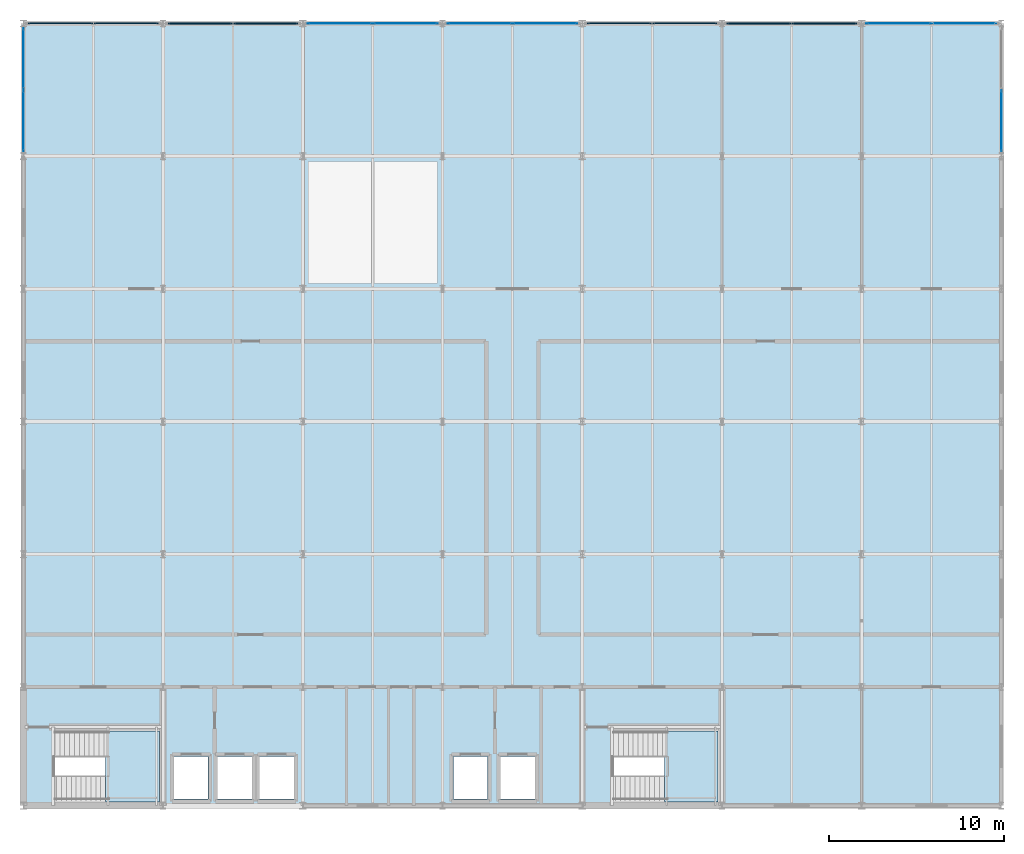
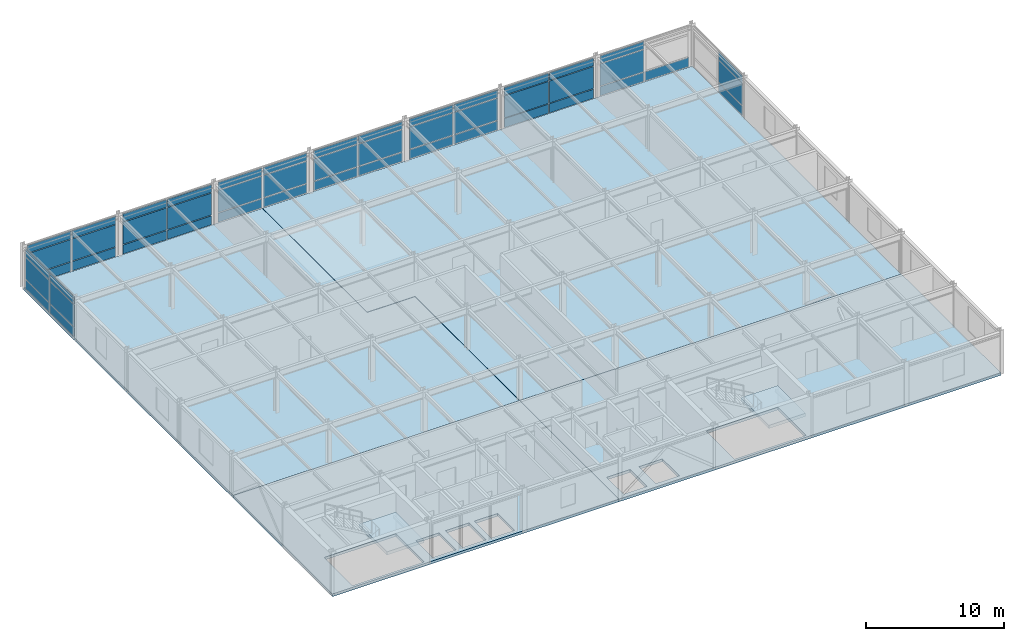
# One storey, part 10 of 14: 49 plates, 6 slabs, 11 elements without a shape of their own.
"""IFC4 building model written with IfcOpenShell, lengths in metres."""

from ifc_helpers import new_model, si_unit, direction, frame, origin, origin_2d, place, context, subcontext, project, spatial, polyline, rectangle, outline, extrude, material, layer, layer_set, type_object, element, aggregate, save


model = new_model("IFC4")

# Units and contexts
model_context = context("Model", 3, precision=1e-05, world=origin(), true_north=direction((0.0, 1.0)))
body_context = subcontext(model_context, "Body", "Model", "MODEL_VIEW")
ifc_project = project(units=[si_unit("LENGTHUNIT", "METRE"), si_unit("AREAUNIT", "SQUARE_METRE"), si_unit("VOLUMEUNIT", "CUBIC_METRE"), si_unit("PLANEANGLEUNIT", "RADIAN"), si_unit("MASSUNIT", "GRAM", prefix="KILO")], contexts=[model_context])

# Site, building, storey
site_placement = place(None, origin())
site = spatial("IfcSite", under=ifc_project, at=site_placement, CompositionType="ELEMENT")
building_placement = place(site_placement, origin())
building = spatial("IfcBuilding", under=site, at=building_placement, Name="Shalkamar Park Central Library", CompositionType="ELEMENT")
storey_placement = place(building_placement, frame((0.0, 0.0, 28.199951171875)))
storey = spatial("IfcBuildingStorey", under=building, at=storey_placement, Name="L07", CompositionType="ELEMENT", Elevation=28.199951171875)

# Curtain wall, plates
ifc_material_1 = material(Name="Thermally broken aluminium and triple low-e curtain wall", Category="aluminium")
ifc_layer_1 = layer(ifc_material_1, 0.27001953125)
ifc_layer_set_1 = layer_set([ifc_layer_1], Name="UnitisedCurtainWall_70")
curtain_wall_type_1 = type_object("IfcCurtainWallType", Name="Unitised Curtain Wall 70", PredefinedType="USERDEFINED", material=ifc_layer_set_1)
curtain_wall_1_placement = place(storey_placement, origin())
curtain_wall_1 = element("IfcCurtainWall", 1, at=curtain_wall_1_placement, inside=storey, type_object=curtain_wall_type_1, Name="Unitised Curtain Wall CW-L07-098", ObjectType="UNITISED CURTAIN WALL", PredefinedType="USERDEFINED")
ifc_material_2 = material(Name="Triple-glazed solar-control glass", Category="glass")
ifc_layer_2 = layer(ifc_material_2, 0.031982421875)
ifc_layer_set_2 = layer_set([ifc_layer_2], Name="SolarControlVisionPanel_32")
plate_type_1 = type_object("IfcPlateType", Name="Solar Control Vision Panel 32", PredefinedType="CURTAIN_PANEL", material=ifc_layer_set_2)
plate_1_placement = place(storey_placement, frame((183.121826171875, 293.199951171875, 0.06494140625), z_axis=(0.0, 0.0, 1.0), x_axis=(1.0, 0.0, 0.0)))
plate_1 = element("IfcPlate", 2, at=plate_1_placement, type_object=plate_type_1, Name="CW-70 panel 1.1", PredefinedType="CURTAIN_PANEL", context=body_context, shape_type="SweptSolid", body=[
    extrude(rectangle(XDim=3.677734375, YDim=0.031982421875, at=origin_2d()), origin(), (0.0, 0.0, 1.0), 0.802490234375),
])
plate_2_placement = place(storey_placement, frame((183.121826171875, 293.199951171875, 0.9326171875), z_axis=(0.0, 0.0, 1.0), x_axis=(1.0, 0.0, 0.0)))
plate_2 = element("IfcPlate", 3, at=plate_2_placement, type_object=plate_type_1, Name="CW-70 panel 1.2", PredefinedType="CURTAIN_PANEL", context=body_context, shape_type="SweptSolid", body=[
    extrude(rectangle(XDim=3.677734375, YDim=0.031982421875, at=origin_2d()), origin(), (0.0, 0.0, 1.0), 1.945068359375),
])
plate_3_placement = place(storey_placement, frame((183.121826171875, 293.199951171875, 2.9423828125), z_axis=(0.0, 0.0, 1.0), x_axis=(1.0, 0.0, 0.0)))
plate_3 = element("IfcPlate", 4, at=plate_3_placement, type_object=plate_type_1, Name="CW-70 panel 1.3", PredefinedType="CURTAIN_PANEL", context=body_context, shape_type="SweptSolid", body=[
    extrude(rectangle(XDim=3.677734375, YDim=0.031982421875, at=origin_2d()), origin(), (0.0, 0.0, 1.0), 0.652587890625),
])
plate_4_placement = place(storey_placement, frame((186.879638671875, 293.199951171875, 0.06494140625), z_axis=(0.0, 0.0, 1.0), x_axis=(1.0, 0.0, 0.0)))
plate_4 = element("IfcPlate", 5, at=plate_4_placement, type_object=plate_type_1, Name="CW-70 panel 2.1", PredefinedType="CURTAIN_PANEL", context=body_context, shape_type="SweptSolid", body=[
    extrude(rectangle(XDim=3.677734375, YDim=0.031982421875, at=origin_2d()), origin(), (0.0, 0.0, 1.0), 0.802490234375),
])
plate_5_placement = place(storey_placement, frame((186.879638671875, 293.199951171875, 0.9326171875), z_axis=(0.0, 0.0, 1.0), x_axis=(1.0, 0.0, 0.0)))
plate_5 = element("IfcPlate", 6, at=plate_5_placement, type_object=plate_type_1, Name="CW-70 panel 2.2", PredefinedType="CURTAIN_PANEL", context=body_context, shape_type="SweptSolid", body=[
    extrude(rectangle(XDim=3.677734375, YDim=0.031982421875, at=origin_2d()), origin(), (0.0, 0.0, 1.0), 1.945068359375),
])
plate_6_placement = place(storey_placement, frame((186.879638671875, 293.199951171875, 2.9423828125), z_axis=(0.0, 0.0, 1.0), x_axis=(1.0, 0.0, 0.0)))
plate_6 = element("IfcPlate", 7, at=plate_6_placement, type_object=plate_type_1, Name="CW-70 panel 2.3", PredefinedType="CURTAIN_PANEL", context=body_context, shape_type="SweptSolid", body=[
    extrude(rectangle(XDim=3.677734375, YDim=0.031982421875, at=origin_2d()), origin(), (0.0, 0.0, 1.0), 0.652587890625),
])
aggregate(curtain_wall_1, [plate_1, plate_2, plate_3, plate_4, plate_5, plate_6])

ifc_layer_3 = layer(ifc_material_1, 0.260009765625)
ifc_layer_set_3 = layer_set([ifc_layer_3], Name="UnitisedCurtainWall_72")
curtain_wall_type_2 = type_object("IfcCurtainWallType", Name="Unitised Curtain Wall 72", PredefinedType="USERDEFINED", material=ifc_layer_set_3)
curtain_wall_2_placement = place(storey_placement, origin())
curtain_wall_2 = element("IfcCurtainWall", 8, at=curtain_wall_2_placement, inside=storey, type_object=curtain_wall_type_2, Name="Unitised Curtain Wall CW-L07-102", ObjectType="UNITISED CURTAIN WALL", PredefinedType="USERDEFINED")
plate_7_placement = place(storey_placement, frame((215.12060546875, 293.199951171875, 0.06005859375), z_axis=(0.0, 0.0, 1.0), x_axis=(1.0, 0.0, 0.0)))
plate_7 = element("IfcPlate", 9, at=plate_7_placement, type_object=plate_type_1, Name="CW-72 panel 1.1", PredefinedType="CURTAIN_PANEL", context=body_context, shape_type="SweptSolid", body=[
    extrude(rectangle(XDim=3.685302734375, YDim=0.031982421875, at=origin_2d()), origin(), (0.0, 0.0, 1.0), 0.81005859375),
])
plate_8_placement = place(storey_placement, frame((215.12060546875, 293.199951171875, 0.93017578125), z_axis=(0.0, 0.0, 1.0), x_axis=(1.0, 0.0, 0.0)))
plate_8 = element("IfcPlate", 10, at=plate_8_placement, type_object=plate_type_1, Name="CW-72 panel 1.2", PredefinedType="CURTAIN_PANEL", context=body_context, shape_type="SweptSolid", body=[
    extrude(rectangle(XDim=3.685302734375, YDim=0.031982421875, at=origin_2d()), origin(), (0.0, 0.0, 1.0), 1.949951171875),
])
plate_9_placement = place(storey_placement, frame((215.12060546875, 293.199951171875, 2.93994140625), z_axis=(0.0, 0.0, 1.0), x_axis=(1.0, 0.0, 0.0)))
plate_9 = element("IfcPlate", 11, at=plate_9_placement, type_object=plate_type_1, Name="CW-72 panel 1.3", PredefinedType="CURTAIN_PANEL", context=body_context, shape_type="SweptSolid", body=[
    extrude(rectangle(XDim=3.685302734375, YDim=0.031982421875, at=origin_2d()), origin(), (0.0, 0.0, 1.0), 0.659912109375),
])
plate_10_placement = place(storey_placement, frame((218.880859375, 293.199951171875, 0.06005859375), z_axis=(0.0, 0.0, 1.0), x_axis=(1.0, 0.0, 0.0)))
plate_10 = element("IfcPlate", 12, at=plate_10_placement, type_object=plate_type_1, Name="CW-72 panel 2.1", PredefinedType="CURTAIN_PANEL", context=body_context, shape_type="SweptSolid", body=[
    extrude(rectangle(XDim=3.685302734375, YDim=0.031982421875, at=origin_2d()), origin(), (0.0, 0.0, 1.0), 0.81005859375),
])
aggregate(curtain_wall_2, [plate_7, plate_8, plate_9, plate_10])

ifc_layer_4 = layer(ifc_material_1, 0.27001953125)
ifc_layer_set_4 = layer_set([ifc_layer_4], Name="UnitisedCurtainWall_74")
curtain_wall_type_3 = type_object("IfcCurtainWallType", Name="Unitised Curtain Wall 74", PredefinedType="USERDEFINED", material=ifc_layer_set_4)
curtain_wall_3_placement = place(storey_placement, origin())
curtain_wall_3 = element("IfcCurtainWall", 13, at=curtain_wall_3_placement, inside=storey, type_object=curtain_wall_type_3, Name="Unitised Curtain Wall CW-L07-103", ObjectType="UNITISED CURTAIN WALL", PredefinedType="USERDEFINED")
plate_11_placement = place(storey_placement, frame((165.0, 287.62158203125, 0.06494140625), z_axis=(0.0, 0.0, 1.0), x_axis=(0.0, 1.0, 0.0)))
plate_11 = element("IfcPlate", 14, at=plate_11_placement, type_object=plate_type_1, Name="CW-74 panel 1.1", PredefinedType="CURTAIN_PANEL", context=body_context, shape_type="SweptSolid", body=[
    extrude(rectangle(XDim=3.47705078125, YDim=0.031982421875, at=origin_2d()), origin(), (0.0, 0.0, 1.0), 0.802490234375),
])
plate_12_placement = place(storey_placement, frame((165.0, 287.62158203125, 0.9326171875), z_axis=(0.0, 0.0, 1.0), x_axis=(0.0, 1.0, 0.0)))
plate_12 = element("IfcPlate", 15, at=plate_12_placement, type_object=plate_type_1, Name="CW-74 panel 1.2", PredefinedType="CURTAIN_PANEL", context=body_context, shape_type="SweptSolid", body=[
    extrude(rectangle(XDim=3.47705078125, YDim=0.031982421875, at=origin_2d()), origin(), (0.0, 0.0, 1.0), 1.945068359375),
])
plate_13_placement = place(storey_placement, frame((165.0, 287.62158203125, 2.9423828125), z_axis=(0.0, 0.0, 1.0), x_axis=(0.0, 1.0, 0.0)))
plate_13 = element("IfcPlate", 16, at=plate_13_placement, type_object=plate_type_1, Name="CW-74 panel 1.3", PredefinedType="CURTAIN_PANEL", context=body_context, shape_type="SweptSolid", body=[
    extrude(rectangle(XDim=3.47705078125, YDim=0.031982421875, at=origin_2d()), origin(), (0.0, 0.0, 1.0), 0.652587890625),
])
plate_14_placement = place(storey_placement, frame((165.0, 291.178466796875, 0.06494140625), z_axis=(0.0, 0.0, 1.0), x_axis=(0.0, 1.0, 0.0)))
plate_14 = element("IfcPlate", 17, at=plate_14_placement, type_object=plate_type_1, Name="CW-74 panel 2.1", PredefinedType="CURTAIN_PANEL", context=body_context, shape_type="SweptSolid", body=[
    extrude(rectangle(XDim=3.47705078125, YDim=0.031982421875, at=origin_2d()), origin(), (0.0, 0.0, 1.0), 0.802490234375),
])
plate_15_placement = place(storey_placement, frame((165.0, 291.178466796875, 0.9326171875), z_axis=(0.0, 0.0, 1.0), x_axis=(0.0, 1.0, 0.0)))
plate_15 = element("IfcPlate", 18, at=plate_15_placement, type_object=plate_type_1, Name="CW-74 panel 2.2", PredefinedType="CURTAIN_PANEL", context=body_context, shape_type="SweptSolid", body=[
    extrude(rectangle(XDim=3.47705078125, YDim=0.031982421875, at=origin_2d()), origin(), (0.0, 0.0, 1.0), 1.945068359375),
])
plate_16_placement = place(storey_placement, frame((165.0, 291.178466796875, 2.9423828125), z_axis=(0.0, 0.0, 1.0), x_axis=(0.0, 1.0, 0.0)))
plate_16 = element("IfcPlate", 19, at=plate_16_placement, type_object=plate_type_1, Name="CW-74 panel 2.3", PredefinedType="CURTAIN_PANEL", context=body_context, shape_type="SweptSolid", body=[
    extrude(rectangle(XDim=3.47705078125, YDim=0.031982421875, at=origin_2d()), origin(), (0.0, 0.0, 1.0), 0.652587890625),
])
aggregate(curtain_wall_3, [plate_11, plate_12, plate_13, plate_14, plate_15, plate_16])

curtain_wall_4_placement = place(storey_placement, origin())
curtain_wall_4 = element("IfcCurtainWall", 20, at=curtain_wall_4_placement, inside=storey, type_object=curtain_wall_type_3, Name="Unitised Curtain Wall CW-L07-104", ObjectType="UNITISED CURTAIN WALL", PredefinedType="USERDEFINED")
plate_17_placement = place(storey_placement, frame((221.0, 287.620849609375, 0.06494140625), z_axis=(0.0, 0.0, 1.0), x_axis=(0.0, 1.0, 0.0)))
plate_17 = element("IfcPlate", 21, at=plate_17_placement, type_object=plate_type_1, Name="CW-74 panel 1.1", PredefinedType="CURTAIN_PANEL", context=body_context, shape_type="SweptSolid", body=[
    extrude(rectangle(XDim=3.478515625, YDim=0.031982421875, at=origin_2d()), origin(), (0.0, 0.0, 1.0), 0.802490234375),
])
plate_18_placement = place(storey_placement, frame((221.0, 287.620849609375, 0.9326171875), z_axis=(0.0, 0.0, 1.0), x_axis=(0.0, 1.0, 0.0)))
plate_18 = element("IfcPlate", 22, at=plate_18_placement, type_object=plate_type_1, Name="CW-74 panel 1.2", PredefinedType="CURTAIN_PANEL", context=body_context, shape_type="SweptSolid", body=[
    extrude(rectangle(XDim=3.478515625, YDim=0.031982421875, at=origin_2d()), origin(), (0.0, 0.0, 1.0), 1.945068359375),
])
plate_19_placement = place(storey_placement, frame((221.0, 287.620849609375, 2.9423828125), z_axis=(0.0, 0.0, 1.0), x_axis=(0.0, 1.0, 0.0)))
plate_19 = element("IfcPlate", 23, at=plate_19_placement, type_object=plate_type_1, Name="CW-74 panel 1.3", PredefinedType="CURTAIN_PANEL", context=body_context, shape_type="SweptSolid", body=[
    extrude(rectangle(XDim=3.478515625, YDim=0.031982421875, at=origin_2d()), origin(), (0.0, 0.0, 1.0), 0.652587890625),
])
aggregate(curtain_wall_4, [plate_17, plate_18, plate_19])

ifc_layer_5 = layer(ifc_material_1, 0.2548828125)
ifc_layer_set_5 = layer_set([ifc_layer_5], Name="UnitisedCurtainWall_69")
curtain_wall_type_4 = type_object("IfcCurtainWallType", Name="Unitised Curtain Wall 69", PredefinedType="USERDEFINED", material=ifc_layer_set_5)
curtain_wall_5_placement = place(storey_placement, origin())
curtain_wall_5 = element("IfcCurtainWall", 24, at=curtain_wall_5_placement, inside=storey, type_object=curtain_wall_type_4, Name="Unitised Curtain Wall CW-L07-097", ObjectType="UNITISED CURTAIN WALL", PredefinedType="USERDEFINED")
ifc_material_3 = material(Name="Insulated aluminium spandrel panel", Category="aluminium")
ifc_layer_6 = layer(ifc_material_3, 0.080078125)
ifc_layer_set_6 = layer_set([ifc_layer_6], Name="SpandrelShadowboxPanel_80")
plate_type_2 = type_object("IfcPlateType", Name="Spandrel Shadowbox Panel 80", PredefinedType="CURTAIN_PANEL", material=ifc_layer_set_6)
plate_20_placement = place(storey_placement, frame((175.120361328125, 293.199951171875, 0.06494140625), z_axis=(0.0, 0.0, 1.0), x_axis=(1.0, 0.0, 0.0)))
plate_20 = element("IfcPlate", 25, at=plate_20_placement, type_object=plate_type_2, Name="CW-69 panel 1.1", PredefinedType="CURTAIN_PANEL", context=body_context, shape_type="SweptSolid", body=[
    extrude(rectangle(XDim=3.677734375, YDim=0.080078125, at=origin_2d()), origin(), (0.0, 0.0, 1.0), 0.802490234375),
])
plate_21_placement = place(storey_placement, frame((175.120361328125, 293.199951171875, 0.9326171875), z_axis=(0.0, 0.0, 1.0), x_axis=(1.0, 0.0, 0.0)))
plate_21 = element("IfcPlate", 26, at=plate_21_placement, type_object=plate_type_2, Name="CW-69 panel 1.2", PredefinedType="CURTAIN_PANEL", context=body_context, shape_type="SweptSolid", body=[
    extrude(rectangle(XDim=3.677734375, YDim=0.080078125, at=origin_2d()), origin(), (0.0, 0.0, 1.0), 1.945068359375),
])
plate_22_placement = place(storey_placement, frame((175.120361328125, 293.199951171875, 2.9423828125), z_axis=(0.0, 0.0, 1.0), x_axis=(1.0, 0.0, 0.0)))
plate_22 = element("IfcPlate", 27, at=plate_22_placement, type_object=plate_type_2, Name="CW-69 panel 1.3", PredefinedType="CURTAIN_PANEL", context=body_context, shape_type="SweptSolid", body=[
    extrude(rectangle(XDim=3.677734375, YDim=0.080078125, at=origin_2d()), origin(), (0.0, 0.0, 1.0), 0.652587890625),
])
plate_23_placement = place(storey_placement, frame((178.878173828125, 293.199951171875, 0.06494140625), z_axis=(0.0, 0.0, 1.0), x_axis=(1.0, 0.0, 0.0)))
plate_23 = element("IfcPlate", 28, at=plate_23_placement, type_object=plate_type_2, Name="CW-69 panel 2.1", PredefinedType="CURTAIN_PANEL", context=body_context, shape_type="SweptSolid", body=[
    extrude(rectangle(XDim=3.677734375, YDim=0.080078125, at=origin_2d()), origin(), (0.0, 0.0, 1.0), 0.802490234375),
])
plate_24_placement = place(storey_placement, frame((178.878173828125, 293.199951171875, 0.9326171875), z_axis=(0.0, 0.0, 1.0), x_axis=(1.0, 0.0, 0.0)))
plate_24 = element("IfcPlate", 29, at=plate_24_placement, type_object=plate_type_2, Name="CW-69 panel 2.2", PredefinedType="CURTAIN_PANEL", context=body_context, shape_type="SweptSolid", body=[
    extrude(rectangle(XDim=3.677734375, YDim=0.080078125, at=origin_2d()), origin(), (0.0, 0.0, 1.0), 1.945068359375),
])
plate_25_placement = place(storey_placement, frame((178.878173828125, 293.199951171875, 2.9423828125), z_axis=(0.0, 0.0, 1.0), x_axis=(1.0, 0.0, 0.0)))
plate_25 = element("IfcPlate", 30, at=plate_25_placement, type_object=plate_type_2, Name="CW-69 panel 2.3", PredefinedType="CURTAIN_PANEL", context=body_context, shape_type="SweptSolid", body=[
    extrude(rectangle(XDim=3.677734375, YDim=0.080078125, at=origin_2d()), origin(), (0.0, 0.0, 1.0), 0.652587890625),
])
aggregate(curtain_wall_5, [plate_20, plate_21, plate_22, plate_23, plate_24, plate_25])

ifc_layer_7 = layer(ifc_material_1, 0.25)
ifc_layer_set_7 = layer_set([ifc_layer_7], Name="UnitisedCurtainWall_68")
curtain_wall_type_5 = type_object("IfcCurtainWallType", Name="Unitised Curtain Wall 68", PredefinedType="USERDEFINED", material=ifc_layer_set_7)
curtain_wall_6_placement = place(storey_placement, origin())
curtain_wall_6 = element("IfcCurtainWall", 31, at=curtain_wall_6_placement, inside=storey, type_object=curtain_wall_type_5, Name="Unitised Curtain Wall CW-L07-101", ObjectType="UNITISED CURTAIN WALL", PredefinedType="USERDEFINED")
plate_26_placement = place(storey_placement, frame((207.119140625, 293.199951171875, 0.06005859375), z_axis=(0.0, 0.0, 1.0), x_axis=(1.0, 0.0, 0.0)))
plate_26 = element("IfcPlate", 32, at=plate_26_placement, type_object=plate_type_2, Name="CW-68 panel 1.1", PredefinedType="CURTAIN_PANEL", context=body_context, shape_type="SweptSolid", body=[
    extrude(rectangle(XDim=3.685302734375, YDim=0.080078125, at=origin_2d()), origin(), (0.0, 0.0, 1.0), 0.81005859375),
])
plate_27_placement = place(storey_placement, frame((207.119140625, 293.199951171875, 0.93017578125), z_axis=(0.0, 0.0, 1.0), x_axis=(1.0, 0.0, 0.0)))
plate_27 = element("IfcPlate", 33, at=plate_27_placement, type_object=plate_type_2, Name="CW-68 panel 1.2", PredefinedType="CURTAIN_PANEL", context=body_context, shape_type="SweptSolid", body=[
    extrude(rectangle(XDim=3.685302734375, YDim=0.080078125, at=origin_2d()), origin(), (0.0, 0.0, 1.0), 1.949951171875),
])
plate_28_placement = place(storey_placement, frame((207.119140625, 293.199951171875, 2.93994140625), z_axis=(0.0, 0.0, 1.0), x_axis=(1.0, 0.0, 0.0)))
plate_28 = element("IfcPlate", 34, at=plate_28_placement, type_object=plate_type_2, Name="CW-68 panel 1.3", PredefinedType="CURTAIN_PANEL", context=body_context, shape_type="SweptSolid", body=[
    extrude(rectangle(XDim=3.685302734375, YDim=0.080078125, at=origin_2d()), origin(), (0.0, 0.0, 1.0), 0.659912109375),
])
plate_29_placement = place(storey_placement, frame((210.87939453125, 293.199951171875, 0.06005859375), z_axis=(0.0, 0.0, 1.0), x_axis=(1.0, 0.0, 0.0)))
plate_29 = element("IfcPlate", 35, at=plate_29_placement, type_object=plate_type_2, Name="CW-68 panel 2.1", PredefinedType="CURTAIN_PANEL", context=body_context, shape_type="SweptSolid", body=[
    extrude(rectangle(XDim=3.685302734375, YDim=0.080078125, at=origin_2d()), origin(), (0.0, 0.0, 1.0), 0.81005859375),
])
plate_30_placement = place(storey_placement, frame((210.87939453125, 293.199951171875, 0.93017578125), z_axis=(0.0, 0.0, 1.0), x_axis=(1.0, 0.0, 0.0)))
plate_30 = element("IfcPlate", 36, at=plate_30_placement, type_object=plate_type_2, Name="CW-68 panel 2.2", PredefinedType="CURTAIN_PANEL", context=body_context, shape_type="SweptSolid", body=[
    extrude(rectangle(XDim=3.685302734375, YDim=0.080078125, at=origin_2d()), origin(), (0.0, 0.0, 1.0), 1.949951171875),
])
plate_31_placement = place(storey_placement, frame((210.87939453125, 293.199951171875, 2.93994140625), z_axis=(0.0, 0.0, 1.0), x_axis=(1.0, 0.0, 0.0)))
plate_31 = element("IfcPlate", 37, at=plate_31_placement, type_object=plate_type_2, Name="CW-68 panel 2.3", PredefinedType="CURTAIN_PANEL", context=body_context, shape_type="SweptSolid", body=[
    extrude(rectangle(XDim=3.685302734375, YDim=0.080078125, at=origin_2d()), origin(), (0.0, 0.0, 1.0), 0.659912109375),
])
aggregate(curtain_wall_6, [plate_26, plate_27, plate_28, plate_29, plate_30, plate_31])

# Stair, slab
ifc_material_4 = material(Name="Concrete C35/45", Category="concrete")
stair_type = type_object("IfcStairType", Name="Protected Dog Leg Stair 150x390", PredefinedType="TWO_STRAIGHT_RUN_STAIR", material=ifc_material_4)
stair_1_placement = place(storey_placement, origin())
stair_1 = element("IfcStair", 38, at=stair_1_placement, inside=storey, type_object=stair_type, Name="Protected Core Stair ST-T1-L07", PredefinedType="TWO_STRAIGHT_RUN_STAIR")
ifc_layer_8 = layer(ifc_material_4, 0.280029296875)
ifc_layer_set_8 = layer_set([ifc_layer_8], Name="Concrete C35/45")
slab_type_1 = type_object("IfcSlabType", Name="Stair Landing Slab 160", PredefinedType="LANDING", material=ifc_layer_set_8)
slab_1_placement = place(storey_placement, frame((0.0, 0.0, 1.670166015625)))
slab_1 = element("IfcSlab", 39, at=slab_1_placement, type_object=slab_type_1, Name="ST-T1-L07 landing 1", PredefinedType="LANDING", context=body_context, shape_type="SweptSolid", body=[
    extrude(outline(polyline([(169.699951171875, 248.6201171875), (172.780029296875, 248.6201171875), (172.780029296875, 252.679931640625), (169.699951171875, 252.679931640625), (169.699951171875, 248.6201171875)])), origin(), (0.0, 0.0, 1.0), 0.27978515625),
])
aggregate(stair_1, [slab_1])

stair_2_placement = place(storey_placement, origin())
stair_2 = element("IfcStair", 40, at=stair_2_placement, inside=storey, type_object=stair_type, Name="Protected Core Stair ST-T2-L07", PredefinedType="TWO_STRAIGHT_RUN_STAIR")
slab_2_placement = place(storey_placement, frame((0.0, 0.0, 1.670166015625)))
slab_2 = element("IfcSlab", 41, at=slab_2_placement, type_object=slab_type_1, Name="ST-T2-L07 landing 1", PredefinedType="LANDING", context=body_context, shape_type="SweptSolid", body=[
    extrude(outline(polyline([(201.699951171875, 248.6201171875), (204.780029296875, 248.6201171875), (204.780029296875, 252.679931640625), (201.699951171875, 252.679931640625), (201.699951171875, 248.6201171875)])), origin(), (0.0, 0.0, 1.0), 0.27978515625),
])
aggregate(stair_2, [slab_2])

# Slabs
ifc_layer_9 = layer(ifc_material_4, 0.239990234375)
ifc_layer_set_9 = layer_set([ifc_layer_9], Name="Concrete C35/45")
slab_type_2 = type_object("IfcSlabType", Name="Suspended Floor Slab 240", PredefinedType="FLOOR", material=ifc_layer_set_9)
slab_3_placement = place(storey_placement, frame((0.0, 0.0, -0.239990234375)))
element("IfcSlab", 42, at=slab_3_placement, inside=storey, type_object=slab_type_2, Name="Level L07 Composite Floor Slab NW", PredefinedType="FLOOR", context=body_context, shape_type="SweptSolid", body=[
    extrude(outline(polyline([(165.0, 262.800048828125), (188.989990234375, 262.800048828125), (188.989990234375, 277.989990234375), (184.989990234375, 277.989990234375), (184.989990234375, 293.199951171875), (165.0, 293.199951171875), (165.0, 262.800048828125)])), origin(), (0.0, 0.0, 1.0), 0.239990234375),
])
slab_4_placement = place(storey_placement, frame((0.0, 0.0, -0.239990234375)))
element("IfcSlab", 43, at=slab_4_placement, inside=storey, type_object=slab_type_2, Name="Level L07 Composite Floor Slab NE", PredefinedType="FLOOR", context=body_context, shape_type="SweptSolid", body=[
    extrude(outline(polyline([(189.010009765625, 262.800048828125), (221.0, 262.800048828125), (221.0, 293.199951171875), (185.010009765625, 293.199951171875), (185.010009765625, 278.010009765625), (189.010009765625, 278.010009765625), (189.010009765625, 262.800048828125)])), origin(), (0.0, 0.0, 1.0), 0.239990234375),
])
slab_5_placement = place(storey_placement, frame((0.0, 0.0, -0.239990234375)))
element("IfcSlab", 44, at=slab_5_placement, inside=storey, type_object=slab_type_2, Name="Level L07 Composite Floor Slab SW", PredefinedType="FLOOR", context=body_context, shape_type="SweptSolid", body=[
    extrude(outline(polyline([(165.0, 248.39990234375), (165.0, 262.800048828125), (189.0, 262.800048828125), (189.0, 248.39990234375), (165.0, 248.39990234375)]), holes=[polyline([(173.6201171875, 248.77001953125), (175.580078125, 248.77001953125), (175.580078125, 251.22998046875), (173.6201171875, 251.22998046875), (173.6201171875, 248.77001953125)]), polyline([(176.1201171875, 251.22998046875), (176.1201171875, 248.77001953125), (178.080078125, 248.77001953125), (178.080078125, 251.22998046875), (176.1201171875, 251.22998046875)]), polyline([(178.52001953125, 251.22998046875), (178.52001953125, 248.77001953125), (180.47998046875, 248.77001953125), (180.47998046875, 251.22998046875), (178.52001953125, 251.22998046875)]), polyline([(166.800048828125, 252.699951171875), (166.800048828125, 248.60009765625), (172.800048828125, 248.60009765625), (172.800048828125, 252.699951171875), (166.800048828125, 252.699951171875)])]), origin(), (0.0, 0.0, 1.0), 0.239990234375),
])
slab_6_placement = place(storey_placement, frame((0.0, 0.0, -0.239990234375)))
element("IfcSlab", 45, at=slab_6_placement, inside=storey, type_object=slab_type_2, Name="Level L07 Composite Floor Slab SE", PredefinedType="FLOOR", context=body_context, shape_type="SweptSolid", body=[
    extrude(outline(polyline([(189.0, 248.39990234375), (189.0, 262.800048828125), (221.0, 262.800048828125), (221.0, 248.39990234375), (189.0, 248.39990234375)]), holes=[polyline([(189.6201171875, 251.22998046875), (189.6201171875, 248.77001953125), (191.580078125, 248.77001953125), (191.580078125, 251.22998046875), (189.6201171875, 251.22998046875)]), polyline([(192.320068359375, 251.22998046875), (192.320068359375, 248.77001953125), (194.280029296875, 248.77001953125), (194.280029296875, 251.22998046875), (192.320068359375, 251.22998046875)]), polyline([(198.800048828125, 252.699951171875), (198.800048828125, 248.60009765625), (204.800048828125, 248.60009765625), (204.800048828125, 252.699951171875), (198.800048828125, 252.699951171875)])]), origin(), (0.0, 0.0, 1.0), 0.239990234375),
])

# Curtain wall, plates
curtain_wall_7_placement = place(storey_placement, origin())
curtain_wall_7 = element("IfcCurtainWall", 46, at=curtain_wall_7_placement, inside=storey, type_object=curtain_wall_type_2, Name="Unitised Curtain Wall CW-L07-096", ObjectType="UNITISED CURTAIN WALL", PredefinedType="USERDEFINED")
ifc_material_5 = material(Name="Triple-glazed laminated glass", Category="glass")
ifc_layer_10 = layer(ifc_material_5, 0.06005859375)
ifc_layer_set_10 = layer_set([ifc_layer_10], Name="TripleGlazedPodiumPanel_60")
plate_type_3 = type_object("IfcPlateType", Name="Triple Glazed Podium Panel 60", PredefinedType="CURTAIN_PANEL", material=ifc_layer_set_10)
plate_32_placement = place(storey_placement, frame((167.12060546875, 293.199951171875, 0.06005859375), z_axis=(0.0, 0.0, 1.0), x_axis=(1.0, 0.0, 0.0)))
plate_32 = element("IfcPlate", 47, at=plate_32_placement, type_object=plate_type_3, Name="CW-72 panel 1.1", PredefinedType="CURTAIN_PANEL", context=body_context, shape_type="SweptSolid", body=[
    extrude(rectangle(XDim=3.685302734375, YDim=0.06005859375, at=origin_2d()), origin(), (0.0, 0.0, 1.0), 0.81005859375),
])
plate_33_placement = place(storey_placement, frame((167.12060546875, 293.199951171875, 0.93017578125), z_axis=(0.0, 0.0, 1.0), x_axis=(1.0, 0.0, 0.0)))
plate_33 = element("IfcPlate", 48, at=plate_33_placement, type_object=plate_type_3, Name="CW-72 panel 1.2", PredefinedType="CURTAIN_PANEL", context=body_context, shape_type="SweptSolid", body=[
    extrude(rectangle(XDim=3.685302734375, YDim=0.06005859375, at=origin_2d()), origin(), (0.0, 0.0, 1.0), 1.949951171875),
])
plate_34_placement = place(storey_placement, frame((167.12060546875, 293.199951171875, 2.93994140625), z_axis=(0.0, 0.0, 1.0), x_axis=(1.0, 0.0, 0.0)))
plate_34 = element("IfcPlate", 49, at=plate_34_placement, type_object=plate_type_3, Name="CW-72 panel 1.3", PredefinedType="CURTAIN_PANEL", context=body_context, shape_type="SweptSolid", body=[
    extrude(rectangle(XDim=3.685302734375, YDim=0.06005859375, at=origin_2d()), origin(), (0.0, 0.0, 1.0), 0.659912109375),
])
plate_35_placement = place(storey_placement, frame((170.880859375, 293.199951171875, 0.06005859375), z_axis=(0.0, 0.0, 1.0), x_axis=(1.0, 0.0, 0.0)))
plate_35 = element("IfcPlate", 50, at=plate_35_placement, type_object=plate_type_3, Name="CW-72 panel 2.1", PredefinedType="CURTAIN_PANEL", context=body_context, shape_type="SweptSolid", body=[
    extrude(rectangle(XDim=3.685302734375, YDim=0.06005859375, at=origin_2d()), origin(), (0.0, 0.0, 1.0), 0.81005859375),
])
plate_36_placement = place(storey_placement, frame((170.880859375, 293.199951171875, 0.93017578125), z_axis=(0.0, 0.0, 1.0), x_axis=(1.0, 0.0, 0.0)))
plate_36 = element("IfcPlate", 51, at=plate_36_placement, type_object=plate_type_3, Name="CW-72 panel 2.2", PredefinedType="CURTAIN_PANEL", context=body_context, shape_type="SweptSolid", body=[
    extrude(rectangle(XDim=3.685302734375, YDim=0.06005859375, at=origin_2d()), origin(), (0.0, 0.0, 1.0), 1.949951171875),
])
plate_37_placement = place(storey_placement, frame((170.880859375, 293.199951171875, 2.93994140625), z_axis=(0.0, 0.0, 1.0), x_axis=(1.0, 0.0, 0.0)))
plate_37 = element("IfcPlate", 52, at=plate_37_placement, type_object=plate_type_3, Name="CW-72 panel 2.3", PredefinedType="CURTAIN_PANEL", context=body_context, shape_type="SweptSolid", body=[
    extrude(rectangle(XDim=3.685302734375, YDim=0.06005859375, at=origin_2d()), origin(), (0.0, 0.0, 1.0), 0.659912109375),
])
aggregate(curtain_wall_7, [plate_32, plate_33, plate_34, plate_35, plate_36, plate_37])

ifc_layer_11 = layer(ifc_material_1, 0.280029296875)
ifc_layer_set_11 = layer_set([ifc_layer_11], Name="UnitisedCurtainWall_67")
curtain_wall_type_6 = type_object("IfcCurtainWallType", Name="Unitised Curtain Wall 67", PredefinedType="USERDEFINED", material=ifc_layer_set_11)
curtain_wall_8_placement = place(storey_placement, origin())
curtain_wall_8 = element("IfcCurtainWall", 53, at=curtain_wall_8_placement, inside=storey, type_object=curtain_wall_type_6, Name="Unitised Curtain Wall CW-L07-100", ObjectType="UNITISED CURTAIN WALL", PredefinedType="USERDEFINED")
plate_38_placement = place(storey_placement, frame((199.124267578125, 293.199951171875, 0.070068359375), z_axis=(0.0, 0.0, 1.0), x_axis=(1.0, 0.0, 0.0)))
plate_38 = element("IfcPlate", 54, at=plate_38_placement, type_object=plate_type_3, Name="CW-67 panel 1.1", PredefinedType="CURTAIN_PANEL", context=body_context, shape_type="SweptSolid", body=[
    extrude(rectangle(XDim=3.662841796875, YDim=0.06005859375, at=origin_2d()), origin(), (0.0, 0.0, 1.0), 0.794921875),
])
plate_39_placement = place(storey_placement, frame((199.124267578125, 293.199951171875, 0.93505859375), z_axis=(0.0, 0.0, 1.0), x_axis=(1.0, 0.0, 0.0)))
plate_39 = element("IfcPlate", 55, at=plate_39_placement, type_object=plate_type_3, Name="CW-67 panel 1.2", PredefinedType="CURTAIN_PANEL", context=body_context, shape_type="SweptSolid", body=[
    extrude(rectangle(XDim=3.662841796875, YDim=0.06005859375, at=origin_2d()), origin(), (0.0, 0.0, 1.0), 1.93994140625),
])
plate_40_placement = place(storey_placement, frame((199.124267578125, 293.199951171875, 2.945068359375), z_axis=(0.0, 0.0, 1.0), x_axis=(1.0, 0.0, 0.0)))
plate_40 = element("IfcPlate", 56, at=plate_40_placement, type_object=plate_type_3, Name="CW-67 panel 1.3", PredefinedType="CURTAIN_PANEL", context=body_context, shape_type="SweptSolid", body=[
    extrude(rectangle(XDim=3.662841796875, YDim=0.06005859375, at=origin_2d()), origin(), (0.0, 0.0, 1.0), 0.64501953125),
])
plate_41_placement = place(storey_placement, frame((202.877197265625, 293.199951171875, 0.070068359375), z_axis=(0.0, 0.0, 1.0), x_axis=(1.0, 0.0, 0.0)))
plate_41 = element("IfcPlate", 57, at=plate_41_placement, type_object=plate_type_3, Name="CW-67 panel 2.1", PredefinedType="CURTAIN_PANEL", context=body_context, shape_type="SweptSolid", body=[
    extrude(rectangle(XDim=3.662841796875, YDim=0.06005859375, at=origin_2d()), origin(), (0.0, 0.0, 1.0), 0.794921875),
])
plate_42_placement = place(storey_placement, frame((202.877197265625, 293.199951171875, 0.93505859375), z_axis=(0.0, 0.0, 1.0), x_axis=(1.0, 0.0, 0.0)))
plate_42 = element("IfcPlate", 58, at=plate_42_placement, type_object=plate_type_3, Name="CW-67 panel 2.2", PredefinedType="CURTAIN_PANEL", context=body_context, shape_type="SweptSolid", body=[
    extrude(rectangle(XDim=3.662841796875, YDim=0.06005859375, at=origin_2d()), origin(), (0.0, 0.0, 1.0), 1.93994140625),
])
plate_43_placement = place(storey_placement, frame((202.877197265625, 293.199951171875, 2.945068359375), z_axis=(0.0, 0.0, 1.0), x_axis=(1.0, 0.0, 0.0)))
plate_43 = element("IfcPlate", 59, at=plate_43_placement, type_object=plate_type_3, Name="CW-67 panel 2.3", PredefinedType="CURTAIN_PANEL", context=body_context, shape_type="SweptSolid", body=[
    extrude(rectangle(XDim=3.662841796875, YDim=0.06005859375, at=origin_2d()), origin(), (0.0, 0.0, 1.0), 0.64501953125),
])
aggregate(curtain_wall_8, [plate_38, plate_39, plate_40, plate_41, plate_42, plate_43])

ifc_layer_12 = layer(ifc_material_1, 0.264892578125)
ifc_layer_set_12 = layer_set([ifc_layer_12], Name="UnitisedCurtainWall_73")
curtain_wall_type_7 = type_object("IfcCurtainWallType", Name="Unitised Curtain Wall 73", PredefinedType="USERDEFINED", material=ifc_layer_set_12)
curtain_wall_9_placement = place(storey_placement, origin())
curtain_wall_9 = element("IfcCurtainWall", 60, at=curtain_wall_9_placement, inside=storey, type_object=curtain_wall_type_7, Name="Unitised Curtain Wall CW-L07-099", ObjectType="UNITISED CURTAIN WALL", PredefinedType="USERDEFINED")
ifc_material_6 = material(Name="Triple-glazed low-e safety glass", Category="glass")
ifc_layer_13 = layer(ifc_material_6, 0.0439453125)
ifc_layer_set_13 = layer_set([ifc_layer_13], Name="TripleGlazedVisionPanel_44")
plate_type_4 = type_object("IfcPlateType", Name="Triple Glazed Vision Panel 44", PredefinedType="CURTAIN_PANEL", material=ifc_layer_set_13)
plate_44_placement = place(storey_placement, frame((191.12158203125, 293.199951171875, 0.070068359375), z_axis=(0.0, 0.0, 1.0), x_axis=(1.0, 0.0, 0.0)))
plate_44 = element("IfcPlate", 61, at=plate_44_placement, type_object=plate_type_4, Name="CW-73 panel 1.1", PredefinedType="CURTAIN_PANEL", context=body_context, shape_type="SweptSolid", body=[
    extrude(rectangle(XDim=3.670166015625, YDim=0.0439453125, at=origin_2d()), origin(), (0.0, 0.0, 1.0), 0.794921875),
])
plate_45_placement = place(storey_placement, frame((191.12158203125, 293.199951171875, 0.93505859375), z_axis=(0.0, 0.0, 1.0), x_axis=(1.0, 0.0, 0.0)))
plate_45 = element("IfcPlate", 62, at=plate_45_placement, type_object=plate_type_4, Name="CW-73 panel 1.2", PredefinedType="CURTAIN_PANEL", context=body_context, shape_type="SweptSolid", body=[
    extrude(rectangle(XDim=3.670166015625, YDim=0.0439453125, at=origin_2d()), origin(), (0.0, 0.0, 1.0), 1.93994140625),
])
plate_46_placement = place(storey_placement, frame((191.12158203125, 293.199951171875, 2.945068359375), z_axis=(0.0, 0.0, 1.0), x_axis=(1.0, 0.0, 0.0)))
plate_46 = element("IfcPlate", 63, at=plate_46_placement, type_object=plate_type_4, Name="CW-73 panel 1.3", PredefinedType="CURTAIN_PANEL", context=body_context, shape_type="SweptSolid", body=[
    extrude(rectangle(XDim=3.670166015625, YDim=0.0439453125, at=origin_2d()), origin(), (0.0, 0.0, 1.0), 0.64501953125),
])
plate_47_placement = place(storey_placement, frame((194.876953125, 293.199951171875, 0.070068359375), z_axis=(0.0, 0.0, 1.0), x_axis=(1.0, 0.0, 0.0)))
plate_47 = element("IfcPlate", 64, at=plate_47_placement, type_object=plate_type_4, Name="CW-73 panel 2.1", PredefinedType="CURTAIN_PANEL", context=body_context, shape_type="SweptSolid", body=[
    extrude(rectangle(XDim=3.670166015625, YDim=0.0439453125, at=origin_2d()), origin(), (0.0, 0.0, 1.0), 0.794921875),
])
plate_48_placement = place(storey_placement, frame((194.876953125, 293.199951171875, 0.93505859375), z_axis=(0.0, 0.0, 1.0), x_axis=(1.0, 0.0, 0.0)))
plate_48 = element("IfcPlate", 65, at=plate_48_placement, type_object=plate_type_4, Name="CW-73 panel 2.2", PredefinedType="CURTAIN_PANEL", context=body_context, shape_type="SweptSolid", body=[
    extrude(rectangle(XDim=3.670166015625, YDim=0.0439453125, at=origin_2d()), origin(), (0.0, 0.0, 1.0), 1.93994140625),
])
plate_49_placement = place(storey_placement, frame((194.876953125, 293.199951171875, 2.945068359375), z_axis=(0.0, 0.0, 1.0), x_axis=(1.0, 0.0, 0.0)))
plate_49 = element("IfcPlate", 66, at=plate_49_placement, type_object=plate_type_4, Name="CW-73 panel 2.3", PredefinedType="CURTAIN_PANEL", context=body_context, shape_type="SweptSolid", body=[
    extrude(rectangle(XDim=3.670166015625, YDim=0.0439453125, at=origin_2d()), origin(), (0.0, 0.0, 1.0), 0.64501953125),
])
aggregate(curtain_wall_9, [plate_44, plate_45, plate_46, plate_47, plate_48, plate_49])

save(model, "model.ifc")
